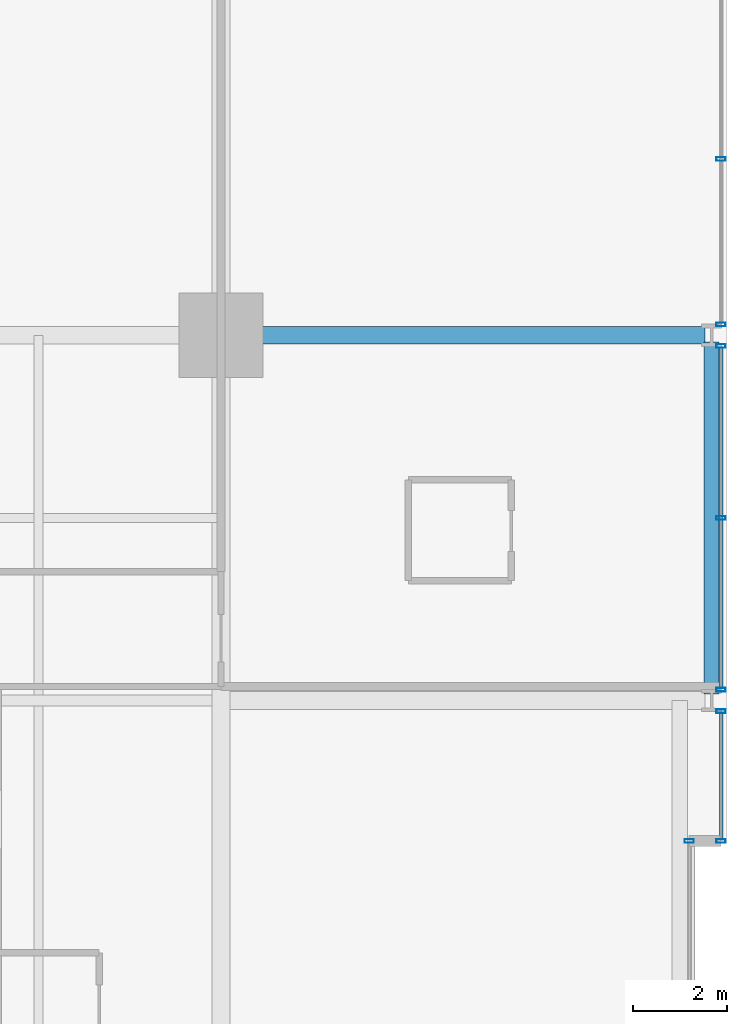
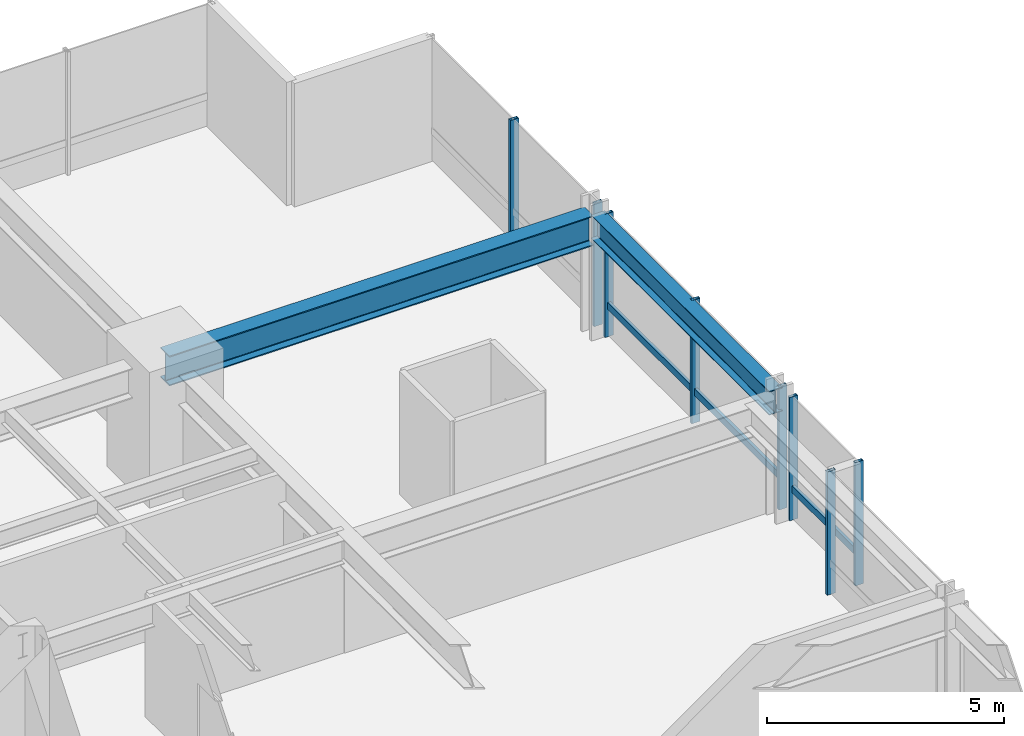
# One storey, part 25 of 37: 10 members, 2 beams, 4 elements without a shape of their own.
"""IFC4 building model written with IfcOpenShell, lengths in metres."""

from ifc_helpers import new_model, si_unit, direction, frame, origin, origin_2d, place, context, subcontext, project, spatial, hollow_rectangle, i_section, extrude, material, layer, layer_set, material_profile, profile_set, type_object, element, aggregate, save


model = new_model("IFC4")

# Units and contexts
model_context = context("Model", 3, precision=1e-05, world=origin(), true_north=direction((0.0, 1.0)))
body_context = subcontext(model_context, "Body", "Model", "MODEL_VIEW")
ifc_project = project(units=[si_unit("LENGTHUNIT", "METRE"), si_unit("AREAUNIT", "SQUARE_METRE"), si_unit("VOLUMEUNIT", "CUBIC_METRE"), si_unit("PLANEANGLEUNIT", "RADIAN"), si_unit("MASSUNIT", "GRAM", prefix="KILO")], contexts=[model_context])

# Site, building, storey
site_placement = place(None, origin())
site = spatial("IfcSite", under=ifc_project, at=site_placement, CompositionType="ELEMENT")
building_placement = place(site_placement, origin())
building = spatial("IfcBuilding", under=site, at=building_placement, Name="Drelvath Grand Hotel", CompositionType="ELEMENT")
storey_placement = place(building_placement, frame((0.0, 0.0, 78.699951171875)))
storey = spatial("IfcBuildingStorey", under=building, at=storey_placement, Name="L19", CompositionType="ELEMENT", Elevation=78.699951171875)

# Curtain wall, member
ifc_material_1 = material(Name="Warm Bronze Anodised Aluminium Frame", Category="aluminium")
ifc_layer = layer(ifc_material_1, 0.199951171875)
ifc_layer_set = layer_set([ifc_layer], Name="Warm Bronze Anodised Aluminium Frame")
curtain_wall_type = type_object("IfcCurtainWallType", Name="Stick Curtain Wall CW-02 Warm Bronze Low-Rise", PredefinedType="NOTDEFINED", material=ifc_layer_set)
curtain_wall_1_placement = place(storey_placement, origin())
curtain_wall_1 = element("IfcCurtainWall", 1, at=curtain_wall_1_placement, inside=storey, type_object=curtain_wall_type, Name="L19 CW-02 Curtain Wall CW02-L19-EN1", PredefinedType="NOTDEFINED")
ifc_material_profile_1 = material_profile(ifc_material_1, hollow_rectangle(XDim=0.074951171875, YDim=0.179931640625, WallThickness=0.0048828125, at=origin_2d()), Name="HSS180X75X5")
ifc_profile_set_1 = profile_set([ifc_material_profile_1], Name="Warm Bronze Anodised Aluminium Frame")
member_type_1 = type_object("IfcMemberType", Name="Curtain Wall Horizontal Transom CW-02 HSS180X75X5", PredefinedType="USERDEFINED", material=ifc_profile_set_1)
member_1_placement = place(storey_placement, frame((26.8798828125, 35.130859375, 0.795166015625), z_axis=(0.0, -1.0, 0.0), x_axis=(1.0, 0.0, 0.0)))
member_1 = element("IfcMember", 2, at=member_1_placement, type_object=member_type_1, Name="CW02-L19-EN1 Sill Transom", ObjectType="TRANSOM", PredefinedType="USERDEFINED", context=body_context, shape_type="SweptSolid", body=[
    extrude(hollow_rectangle(XDim=0.074951171875, YDim=0.179931640625, WallThickness=0.0048828125, at=origin_2d()), origin(), (0.0, 0.0, 1.0), 2.69091796875),
])

curtain_wall_2_placement = place(storey_placement, origin())
curtain_wall_2 = element("IfcCurtainWall", 3, at=curtain_wall_2_placement, inside=storey, type_object=curtain_wall_type, Name="L19 CW-02 Curtain Wall CW02-L19-EN2", PredefinedType="NOTDEFINED")
member_2_placement = place(storey_placement, frame((26.8798828125, 42.930908203125, 0.795166015625), z_axis=(0.0, -1.0, 0.0), x_axis=(1.0, 0.0, 0.0)))
member_2 = element("IfcMember", 4, at=member_2_placement, type_object=member_type_1, Name="CW02-L19-EN2 Sill Transom", ObjectType="TRANSOM", PredefinedType="USERDEFINED", context=body_context, shape_type="SweptSolid", body=[
    extrude(hollow_rectangle(XDim=0.074951171875, YDim=0.179931640625, WallThickness=0.0048828125, at=origin_2d()), origin(), (0.0, 0.0, 1.0), 7.26171875),
])

# Member
ifc_material_profile_2 = material_profile(ifc_material_1, hollow_rectangle(XDim=0.080078125, YDim=0.199951171875, WallThickness=0.0048828125, at=origin_2d()), Name="HSS200X80X5")
ifc_profile_set_2 = profile_set([ifc_material_profile_2], Name="Warm Bronze Anodised Aluminium Frame")
member_type_2 = type_object("IfcMemberType", Name="Curtain Wall Vertical Mullion CW-02 HSS200X80X5", PredefinedType="MULLION", material=ifc_profile_set_2)
member_3_placement = place(storey_placement, frame((26.8798828125, 35.1708984375, 0.0), z_axis=(0.0, 0.0, 1.0), x_axis=(0.0, 1.0, 0.0)))
member_3 = element("IfcMember", 5, at=member_3_placement, type_object=member_type_2, Name="CW02-L19-EN1 Mullion 1", PredefinedType="MULLION", context=body_context, shape_type="SweptSolid", body=[
    extrude(hollow_rectangle(XDim=0.080078125, YDim=0.199951171875, WallThickness=0.0048828125, at=origin_2d()), origin(), (0.0, 0.0, 1.0), 3.179931640625),
])

member_4_placement = place(storey_placement, frame((26.8798828125, 32.39990234375, 0.0), z_axis=(0.0, 0.0, 1.0), x_axis=(0.0, 1.0, 0.0)))
member_4 = element("IfcMember", 6, at=member_4_placement, type_object=member_type_2, Name="CW02-L19-EN1 Mullion 2", PredefinedType="MULLION", context=body_context, shape_type="SweptSolid", body=[
    extrude(hollow_rectangle(XDim=0.080078125, YDim=0.199951171875, WallThickness=0.0048828125, at=origin_2d()), origin(), (0.0, 0.0, 1.0), 3.179931640625),
])

aggregate(curtain_wall_1, [member_3, member_4, member_1])

member_5_placement = place(storey_placement, frame((26.8798828125, 42.970947265625, 0.0), z_axis=(0.0, 0.0, 1.0), x_axis=(0.0, 1.0, 0.0)))
member_5 = element("IfcMember", 7, at=member_5_placement, type_object=member_type_2, Name="CW02-L19-EN2 Mullion 1", PredefinedType="MULLION", context=body_context, shape_type="SweptSolid", body=[
    extrude(hollow_rectangle(XDim=0.080078125, YDim=0.199951171875, WallThickness=0.0048828125, at=origin_2d()), origin(), (0.0, 0.0, 1.0), 3.179931640625),
])

member_6_placement = place(storey_placement, frame((26.8798828125, 39.300048828125, 0.0), z_axis=(0.0, 0.0, 1.0), x_axis=(0.0, 1.0, 0.0)))
member_6 = element("IfcMember", 8, at=member_6_placement, type_object=member_type_2, Name="CW02-L19-EN2 Mullion 2", PredefinedType="MULLION", context=body_context, shape_type="SweptSolid", body=[
    extrude(hollow_rectangle(XDim=0.080078125, YDim=0.199951171875, WallThickness=0.0048828125, at=origin_2d()), origin(), (0.0, 0.0, 1.0), 3.179931640625),
])

member_7_placement = place(storey_placement, frame((26.8798828125, 35.629150390625, 0.0), z_axis=(0.0, 0.0, 1.0), x_axis=(0.0, 1.0, 0.0)))
member_7 = element("IfcMember", 9, at=member_7_placement, type_object=member_type_2, Name="CW02-L19-EN2 Mullion 3", PredefinedType="MULLION", context=body_context, shape_type="SweptSolid", body=[
    extrude(hollow_rectangle(XDim=0.080078125, YDim=0.199951171875, WallThickness=0.0048828125, at=origin_2d()), origin(), (0.0, 0.0, 1.0), 3.179931640625),
])

aggregate(curtain_wall_2, [member_5, member_6, member_7, member_2])

# Curtain wall, members
curtain_wall_3_placement = place(storey_placement, origin())
curtain_wall_3 = element("IfcCurtainWall", 10, at=curtain_wall_3_placement, inside=storey, type_object=curtain_wall_type, Name="L19 CW-02 Curtain Wall CW02-L19-EN3", PredefinedType="NOTDEFINED")
member_8_placement = place(storey_placement, frame((26.8798828125, 46.964599609375, 0.0), z_axis=(0.0, 0.0, 1.0), x_axis=(0.0, 1.0, 0.0)))
member_8 = element("IfcMember", 11, at=member_8_placement, type_object=member_type_2, Name="CW02-L19-EN3 Mullion 2", PredefinedType="MULLION", context=body_context, shape_type="SweptSolid", body=[
    extrude(hollow_rectangle(XDim=0.080078125, YDim=0.199951171875, WallThickness=0.0048828125, at=origin_2d()), origin(), (0.0, 0.0, 1.0), 3.179931640625),
])
member_9_placement = place(storey_placement, frame((26.8798828125, 43.42919921875, 0.0), z_axis=(0.0, 0.0, 1.0), x_axis=(0.0, 1.0, 0.0)))
member_9 = element("IfcMember", 12, at=member_9_placement, type_object=member_type_2, Name="CW02-L19-EN3 Mullion 3", PredefinedType="MULLION", context=body_context, shape_type="SweptSolid", body=[
    extrude(hollow_rectangle(XDim=0.080078125, YDim=0.199951171875, WallThickness=0.0048828125, at=origin_2d()), origin(), (0.0, 0.0, 1.0), 3.179931640625),
])
aggregate(curtain_wall_3, [member_8, member_9])

# Curtain wall, member
curtain_wall_4_placement = place(storey_placement, origin())
curtain_wall_4 = element("IfcCurtainWall", 13, at=curtain_wall_4_placement, inside=storey, type_object=curtain_wall_type, Name="L19 CW-02 Curtain Wall CW02-L19-EM2", PredefinedType="NOTDEFINED")
member_10_placement = place(storey_placement, frame((26.199951171875, 32.39990234375, 0.0), z_axis=(0.0, 0.0, 1.0), x_axis=(0.0, 1.0, 0.0)))
member_10 = element("IfcMember", 14, at=member_10_placement, type_object=member_type_2, Name="CW02-L19-EM2 Mullion 1", PredefinedType="MULLION", context=body_context, shape_type="SweptSolid", body=[
    extrude(hollow_rectangle(XDim=0.080078125, YDim=0.199951171875, WallThickness=0.0048828125, at=origin_2d()), origin(), (0.0, 0.0, 1.0), 3.179931640625),
])
aggregate(curtain_wall_4, [member_10])

# Beams
ifc_material_2 = material(Name="Steel ASTM A992 Gr 50", Category="steel")
ifc_material_profile_3 = material_profile(ifc_material_2, i_section(OverallWidth=0.323974609375, OverallDepth=0.611083984375, WebThickness=0.0126953125, FlangeThickness=0.01904296875, FilletRadius=0.02197265625, at=origin_2d()), Name="W24X104")
ifc_profile_set_3 = profile_set([ifc_material_profile_3], Name="Steel ASTM A992 Gr 50")
beam_type_1 = type_object("IfcBeamType", Name="Perimeter Spandrel Beam W24X104", PredefinedType="SPANDREL", material=ifc_profile_set_3)
beam_1_placement = place(storey_placement, frame((26.679931640625, 35.5400390625, 2.87451171875), z_axis=(0.0, 1.0, 0.0), x_axis=(-1.0, 0.0, 0.0)))
element("IfcBeam", 15, at=beam_1_placement, inside=storey, type_object=beam_type_1, Name="L19 Spandrel East N", PredefinedType="SPANDREL", context=body_context, shape_type="SweptSolid", body=[
    extrude(i_section(OverallWidth=0.323974609375, OverallDepth=0.611083984375, WebThickness=0.0126953125, FlangeThickness=0.01904296875, FilletRadius=0.02197265625, at=origin_2d()), origin(), (0.0, 0.0, 1.0), 7.52001953125),
])
ifc_material_profile_4 = material_profile(ifc_material_2, i_section(OverallWidth=0.380615234375, OverallDepth=0.773193359375, WebThickness=0.0166015625, FlangeThickness=0.027099609375, FilletRadius=0.02490234375, at=origin_2d()), Name="W30X173")
ifc_profile_set_4 = profile_set([ifc_material_profile_4], Name="Steel ASTM A992 Gr 50")
beam_type_2 = type_object("IfcBeamType", Name="Primary Floor Girder W30X173", PredefinedType="BEAM", material=ifc_profile_set_4)
beam_2_placement = place(storey_placement, frame((16.199951171875, 43.199951171875, 2.79345703125), z_axis=(1.0, 0.0, 0.0), x_axis=(0.0, 1.0, 0.0)))
element("IfcBeam", 16, at=beam_2_placement, inside=storey, type_object=beam_type_2, Name="L19 East Grid Girder G", PredefinedType="BEAM", context=body_context, shape_type="SweptSolid", body=[
    extrude(i_section(OverallWidth=0.380615234375, OverallDepth=0.773193359375, WebThickness=0.0166015625, FlangeThickness=0.027099609375, FilletRadius=0.02490234375, at=origin_2d()), origin(), (0.0, 0.0, 1.0), 10.340087890625),
])

save(model, "model.ifc")
